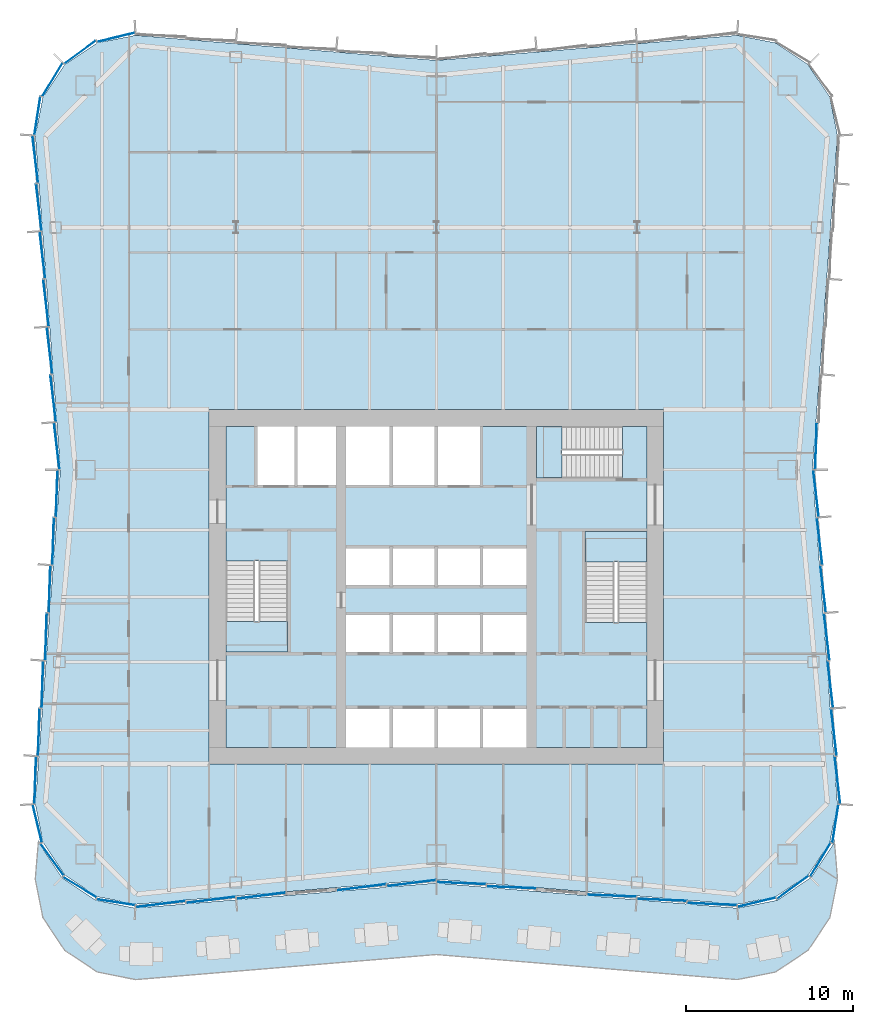
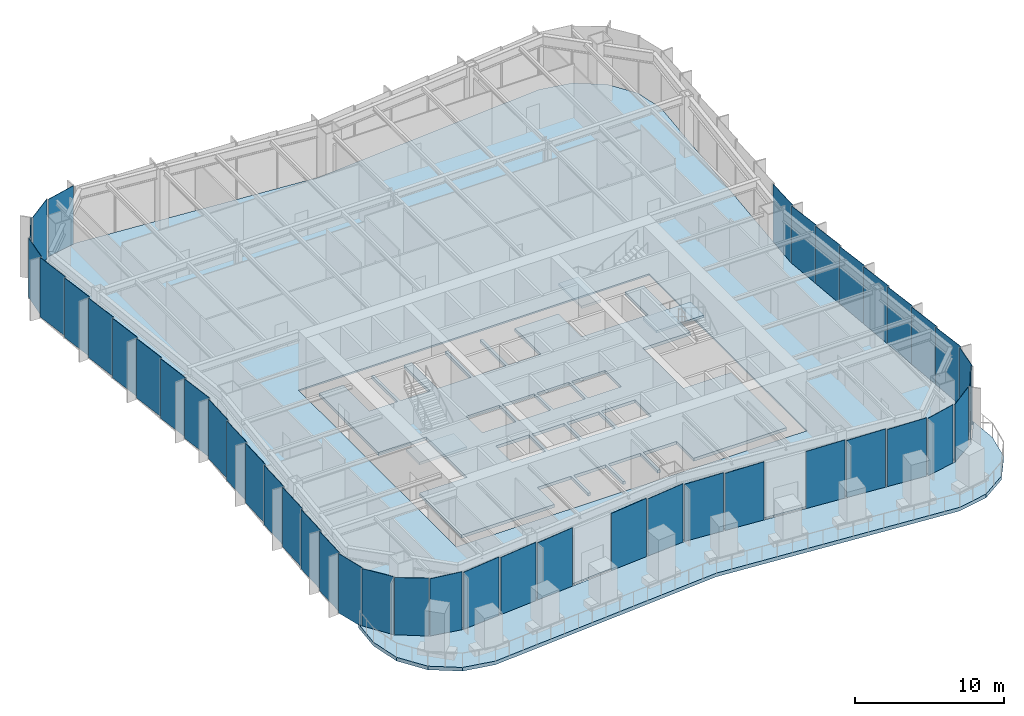
# One storey, part 7 of 15: 44 plates, 6 slabs, 9 elements without a shape of their own.
"""IFC4 building model written with IfcOpenShell, lengths in metres."""

from ifc_helpers import new_model, si_unit, direction, frame, origin, origin_2d, place, context, subcontext, project, spatial, polyline, rectangle, outline, extrude, material, layer, layer_set, type_object, element, aggregate, save


model = new_model("IFC4")

# Units and contexts
model_context = context("Model", 3, precision=1e-05, world=origin(), true_north=direction((0.0, 1.0)))
body_context = subcontext(model_context, "Body", "Model", "MODEL_VIEW")
ifc_project = project(units=[si_unit("LENGTHUNIT", "METRE"), si_unit("AREAUNIT", "SQUARE_METRE"), si_unit("VOLUMEUNIT", "CUBIC_METRE"), si_unit("PLANEANGLEUNIT", "RADIAN"), si_unit("MASSUNIT", "GRAM", prefix="KILO")], contexts=[model_context])

# Site, building, storey
site_placement = place(None, origin())
site = spatial("IfcSite", under=ifc_project, at=site_placement, CompositionType="ELEMENT")
building_placement = place(site_placement, origin())
building = spatial("IfcBuilding", under=site, at=building_placement, Name="Verdant Reach Tower", CompositionType="ELEMENT")
storey_placement = place(building_placement, frame((0.0, 0.0, 121.0)))
storey = spatial("IfcBuildingStorey", under=building, at=storey_placement, Name="L27", CompositionType="ELEMENT", Elevation=121.0)

# Stair, slab
ifc_material_1 = material(Name="Concrete C40/50", Category="concrete")
stair_type = type_object("IfcStairType", Name="CO-STAIR", PredefinedType="HALF_TURN_STAIR", material=ifc_material_1)
stair_1_placement = place(storey_placement, origin())
stair_1 = element("IfcStair", 1, at=stair_1_placement, inside=storey, type_object=stair_type, Name="L27 Exit stair 1", PredefinedType="HALF_TURN_STAIR")
ifc_layer_1 = layer(ifc_material_1, 0.199951171875)
ifc_layer_set_1 = layer_set([ifc_layer_1], Name="CO-STAIR-LANDING")
slab_type_1 = type_object("IfcSlabType", Name="CO-STAIR-LANDING", PredefinedType="LANDING", material=ifc_layer_set_1)
slab_1_placement = place(storey_placement, frame((0.0, 0.0, 2.300048828125)))
slab_1 = element("IfcSlab", 2, at=slab_1_placement, type_object=slab_type_1, Name="ST-1 landing 1", PredefinedType="LANDING", context=body_context, shape_type="SweptSolid", body=[
    extrude(outline(polyline([(-12.60009765625, 25.909912109375), (-12.60009765625, 24.10009765625), (-8.89990234375, 24.10009765625), (-8.89990234375, 25.909912109375), (-12.60009765625, 25.909912109375)])), origin(), (0.0, 0.0, 1.0), 0.199951171875),
])
aggregate(stair_1, [slab_1])

stair_2_placement = place(storey_placement, origin())
stair_2 = element("IfcStair", 3, at=stair_2_placement, inside=storey, type_object=stair_type, Name="L27 Exit stair 2", PredefinedType="HALF_TURN_STAIR")
slab_2_placement = place(storey_placement, frame((0.0, 0.0, 2.300048828125)))
slab_2 = element("IfcSlab", 4, at=slab_2_placement, type_object=slab_type_1, Name="ST-2 landing 1", PredefinedType="LANDING", context=body_context, shape_type="SweptSolid", body=[
    extrude(outline(polyline([(12.60009765625, 29.489990234375), (12.60009765625, 31.300048828125), (8.89990234375, 31.300048828125), (8.89990234375, 29.489990234375), (12.60009765625, 29.489990234375)])), origin(), (0.0, 0.0, 1.0), 0.199951171875),
])
aggregate(stair_2, [slab_2])

stair_3_placement = place(storey_placement, origin())
stair_3 = element("IfcStair", 5, at=stair_3_placement, inside=storey, type_object=stair_type, Name="L27 Exit stair 3", PredefinedType="HALF_TURN_STAIR")
slab_3_placement = place(storey_placement, frame((0.0, 0.0, 2.300048828125)))
slab_3 = element("IfcSlab", 6, at=slab_3_placement, type_object=slab_type_1, Name="ST-3 landing 1", PredefinedType="LANDING", context=body_context, shape_type="SweptSolid", body=[
    extrude(outline(polyline([(7.510009765625, 37.60009765625), (6.0, 37.60009765625), (6.0, 34.5), (7.510009765625, 34.5), (7.510009765625, 37.60009765625)])), origin(), (0.0, 0.0, 1.0), 0.199951171875),
])
aggregate(stair_3, [slab_3])

# Curtain wall, plates
ifc_material_2 = material(Name="Anodised aluminium", Category="aluminium")
curtain_wall_type = type_object("IfcCurtainWallType", Name="EN-CW SYSTEM Z2", PredefinedType="NOTDEFINED", material=ifc_material_2)
curtain_wall_1_placement = place(storey_placement, origin())
curtain_wall_1 = element("IfcCurtainWall", 7, at=curtain_wall_1_placement, inside=storey, type_object=curtain_wall_type, Name="Curtain wall east, L27", PredefinedType="NOTDEFINED")
ifc_material_3 = material(Name="Tinted glass with champagne spandrel", Category="glass")
ifc_layer_2 = layer(ifc_material_3, 0.031982421875)
ifc_layer_set_2 = layer_set([ifc_layer_2], Name="EN-PANEL CHAMPAGNE")
plate_type_1 = type_object("IfcPlateType", Name="EN-PANEL CHAMPAGNE", PredefinedType="CURTAIN_PANEL", material=ifc_layer_set_2)
plate_1_placement = place(storey_placement, frame((23.570068359375, 22.15087890625, -0.22607421875), z_axis=(0.0, 0.0, 1.0), x_axis=(-0.116482717753, 0.993192718693, 0.0)))
plate_1 = element("IfcPlate", 8, at=plate_1_placement, type_object=plate_type_1, Name="Glass panel east face part 1 3.1, L27", PredefinedType="CURTAIN_PANEL", context=body_context, shape_type="SweptSolid", body=[
    extrude(rectangle(XDim=2.80517578125, YDim=0.031982421875, at=origin_2d()), origin(), (0.0, 0.0, 1.0), 4.8759765625),
])
plate_2_placement = place(storey_placement, frame((23.355712890625, 25.0078125, -0.22607421875), z_axis=(0.0, 0.0, 1.0), x_axis=(-0.116482717753, 0.993192718693, 0.0)))
plate_2 = element("IfcPlate", 9, at=plate_2_placement, type_object=plate_type_1, Name="Glass panel east face part 1 4.1, L27", PredefinedType="CURTAIN_PANEL", context=body_context, shape_type="SweptSolid", body=[
    extrude(rectangle(XDim=2.80517578125, YDim=0.031982421875, at=origin_2d()), origin(), (0.0, 0.0, 1.0), 4.8759765625),
])

curtain_wall_2_placement = place(storey_placement, origin())
curtain_wall_2 = element("IfcCurtainWall", 10, at=curtain_wall_2_placement, inside=storey, type_object=curtain_wall_type, Name="Curtain wall north-west corner, L27", PredefinedType="NOTDEFINED")
plate_3_placement = place(storey_placement, frame((-19.17138671875, 60.87353515625, -0.22607421875), z_axis=(0.0, 0.0, 1.0), x_axis=(-0.971657900775, -0.236391463174, 0.0)))
plate_3 = element("IfcPlate", 11, at=plate_3_placement, type_object=plate_type_1, Name="Glass panel north-west corner 1.1, L27", PredefinedType="CURTAIN_PANEL", context=body_context, shape_type="SweptSolid", body=[
    extrude(rectangle(XDim=2.31640625, YDim=0.031982421875, at=origin_2d()), origin(), (0.0, 0.0, 1.0), 4.8759765625),
])
plate_4_placement = place(storey_placement, frame((-21.3271484375, 59.9794921875, -0.22607421875), z_axis=(0.0, 0.0, 1.0), x_axis=(-0.807456760688, -0.589926757843, 0.0)))
plate_4 = element("IfcPlate", 12, at=plate_4_placement, type_object=plate_type_1, Name="Glass panel north-west corner 2.1, L27", PredefinedType="CURTAIN_PANEL", context=body_context, shape_type="SweptSolid", body=[
    extrude(rectangle(XDim=2.322509765625, YDim=0.031982421875, at=origin_2d()), origin(), (0.0, 0.0, 1.0), 4.8759765625),
])
plate_5_placement = place(storey_placement, frame((-22.9794921875, 58.3271484375, -0.22607421875), z_axis=(0.0, 0.0, 1.0), x_axis=(-0.520291561353, -0.853988694998, 0.0)))
plate_5 = element("IfcPlate", 13, at=plate_5_placement, type_object=plate_type_1, Name="Glass panel north-west corner 3.1, L27", PredefinedType="CURTAIN_PANEL", context=body_context, shape_type="SweptSolid", body=[
    extrude(rectangle(XDim=2.322509765625, YDim=0.031982421875, at=origin_2d()), origin(), (0.0, 0.0, 1.0), 4.8759765625),
])

curtain_wall_3_placement = place(storey_placement, origin())
curtain_wall_3 = element("IfcCurtainWall", 14, at=curtain_wall_3_placement, inside=storey, type_object=curtain_wall_type, Name="Curtain wall west, L27", PredefinedType="NOTDEFINED")
plate_6_placement = place(storey_placement, frame((-23.99853515625, 53.57080078125, -0.22607421875), z_axis=(0.0, 0.0, 1.0), x_axis=(0.116147092358, -0.993232023717, 0.0)))
plate_6 = element("IfcPlate", 15, at=plate_6_placement, type_object=plate_type_1, Name="Glass panel west face part 1 1.1, L27", PredefinedType="CURTAIN_PANEL", context=body_context, shape_type="SweptSolid", body=[
    extrude(rectangle(XDim=2.819580078125, YDim=0.031982421875, at=origin_2d()), origin(), (0.0, 0.0, 1.0), 4.8759765625),
])
plate_7_placement = place(storey_placement, frame((-22.712890625, 36.424560546875, -0.22607421875), z_axis=(0.0, 0.0, 1.0), x_axis=(0.116585911919, -0.993180610535, 0.0)))
plate_7 = element("IfcPlate", 16, at=plate_7_placement, type_object=plate_type_1, Name="Glass panel west face part 1 7.1, L27", PredefinedType="CURTAIN_PANEL", context=body_context, shape_type="SweptSolid", body=[
    extrude(rectangle(XDim=2.797119140625, YDim=0.031982421875, at=origin_2d()), origin(), (0.0, 0.0, 1.0), 4.8759765625),
])
plate_8_placement = place(storey_placement, frame((-22.712890625, 33.575439453125, -0.22607421875), z_axis=(0.0, 0.0, 1.0), x_axis=(-0.033069817188, -0.999453044015, 0.0)))
plate_8 = element("IfcPlate", 17, at=plate_8_placement, type_object=plate_type_1, Name="Glass panel west face part 2 1.1, L27", PredefinedType="CURTAIN_PANEL", context=body_context, shape_type="SweptSolid", body=[
    extrude(rectangle(XDim=2.797119140625, YDim=0.031982421875, at=origin_2d()), origin(), (0.0, 0.0, 1.0), 4.8759765625),
])
plate_9_placement = place(storey_placement, frame((-22.92724609375, 30.72216796875, -0.22607421875), z_axis=(0.0, 0.0, 1.0), x_axis=(-0.032965971753, -0.999456474643, 0.0)))
plate_9 = element("IfcPlate", 18, at=plate_9_placement, type_object=plate_type_1, Name="Glass panel west face part 2 2.1, L27", PredefinedType="CURTAIN_PANEL", context=body_context, shape_type="SweptSolid", body=[
    extrude(rectangle(XDim=2.80517578125, YDim=0.031982421875, at=origin_2d()), origin(), (0.0, 0.0, 1.0), 4.8759765625),
])

# Curtain wall, plate
curtain_wall_4_placement = place(storey_placement, origin())
curtain_wall_4 = element("IfcCurtainWall", 19, at=curtain_wall_4_placement, inside=storey, type_object=curtain_wall_type, Name="Curtain wall south-west corner, L27", PredefinedType="NOTDEFINED")
plate_10_placement = place(storey_placement, frame((-23.87353515625, 13.828369140625, -0.22607421875), z_axis=(0.0, 0.0, 1.0), x_axis=(0.236416170006, -0.971651889598, 0.0)))
plate_10 = element("IfcPlate", 20, at=plate_10_placement, type_object=plate_type_1, Name="Glass panel south-west corner 1.1, L27", PredefinedType="CURTAIN_PANEL", context=body_context, shape_type="SweptSolid", body=[
    extrude(rectangle(XDim=2.316162109375, YDim=0.031982421875, at=origin_2d()), origin(), (0.0, 0.0, 1.0), 4.8759765625),
])

# Curtain wall, plates
curtain_wall_5_placement = place(storey_placement, origin())
curtain_wall_5 = element("IfcCurtainWall", 21, at=curtain_wall_5_placement, inside=storey, type_object=curtain_wall_type, Name="Curtain wall south, L27", PredefinedType="NOTDEFINED")
plate_11_placement = place(storey_placement, frame((-4.4912109375, 10.019287109375, -0.22607421875), z_axis=(0.0, 0.0, 1.0), x_axis=(0.992194034542, 0.124703639961, 0.0)))
plate_11 = element("IfcPlate", 22, at=plate_11_placement, type_object=plate_type_1, Name="Glass panel south face part 1 5.1, L27", PredefinedType="CURTAIN_PANEL", context=body_context, shape_type="SweptSolid", body=[
    extrude(rectangle(XDim=2.950439453125, YDim=0.031982421875, at=origin_2d()), origin(), (0.0, 0.0, 1.0), 4.8759765625),
])
plate_12_placement = place(storey_placement, frame((-1.49560546875, 10.269287109375, -0.22607421875), z_axis=(0.0, 0.0, 1.0), x_axis=(0.992178815188, 0.12482467181, 0.0)))
plate_12 = element("IfcPlate", 23, at=plate_12_placement, type_object=plate_type_1, Name="Glass panel south face part 1 6.1, L27", PredefinedType="CURTAIN_PANEL", context=body_context, shape_type="SweptSolid", body=[
    extrude(rectangle(XDim=2.941650390625, YDim=0.031982421875, at=origin_2d()), origin(), (0.0, 0.0, 1.0), 4.8759765625),
])
plate_13_placement = place(storey_placement, frame((16.49853515625, 9.019287109375, -0.22607421875), z_axis=(0.0, 0.0, 1.0), x_axis=(0.999163230224, -0.040900359019, 0.0)))
plate_13 = element("IfcPlate", 24, at=plate_13_placement, type_object=plate_type_1, Name="Glass panel south face part 2 6.1, L27", PredefinedType="CURTAIN_PANEL", context=body_context, shape_type="SweptSolid", body=[
    extrude(rectangle(XDim=2.965087890625, YDim=0.031982421875, at=origin_2d()), origin(), (0.0, 0.0, 1.0), 4.8759765625),
])

# Curtain wall, plate
curtain_wall_6_placement = place(storey_placement, origin())
curtain_wall_6 = element("IfcCurtainWall", 25, at=curtain_wall_6_placement, inside=storey, type_object=curtain_wall_type, Name="Curtain wall south-east corner, L27", PredefinedType="NOTDEFINED")
ifc_material_4 = material(Name="Tinted glass with copper spandrel", Category="glass")
ifc_layer_3 = layer(ifc_material_4, 0.031982421875)
ifc_layer_set_3 = layer_set([ifc_layer_3], Name="EN-PANEL COPPER")
plate_type_2 = type_object("IfcPlateType", Name="EN-PANEL COPPER", PredefinedType="CURTAIN_PANEL", material=ifc_layer_set_3)
plate_14_placement = place(storey_placement, frame((19.17138671875, 9.12646484375, -0.22607421875), z_axis=(0.0, 0.0, 1.0), x_axis=(0.971657900775, 0.236391463174, 0.0)))
plate_14 = element("IfcPlate", 26, at=plate_14_placement, type_object=plate_type_2, Name="Glass panel south-east corner 1.1, L27", PredefinedType="CURTAIN_PANEL", context=body_context, shape_type="SweptSolid", body=[
    extrude(rectangle(XDim=2.31640625, YDim=0.031982421875, at=origin_2d()), origin(), (0.0, 0.0, 1.0), 4.8759765625),
])

# Plate
plate_15_placement = place(storey_placement, frame((23.141357421875, 27.864990234375, -0.22607421875), z_axis=(0.0, 0.0, 1.0), x_axis=(-0.116482717753, 0.993192718693, 0.0)))
plate_15 = element("IfcPlate", 27, at=plate_15_placement, type_object=plate_type_2, Name="Glass panel east face part 1 5.1, L27", PredefinedType="CURTAIN_PANEL", context=body_context, shape_type="SweptSolid", body=[
    extrude(rectangle(XDim=2.80517578125, YDim=0.031982421875, at=origin_2d()), origin(), (0.0, 0.0, 1.0), 4.8759765625),
])

plate_16_placement = place(storey_placement, frame((22.92724609375, 30.72216796875, -0.22607421875), z_axis=(0.0, 0.0, 1.0), x_axis=(-0.116482717753, 0.993192718693, 0.0)))
plate_16 = element("IfcPlate", 28, at=plate_16_placement, type_object=plate_type_2, Name="Glass panel east face part 1 6.1, L27", PredefinedType="CURTAIN_PANEL", context=body_context, shape_type="SweptSolid", body=[
    extrude(rectangle(XDim=2.80517578125, YDim=0.031982421875, at=origin_2d()), origin(), (0.0, 0.0, 1.0), 4.8759765625),
])

plate_17_placement = place(storey_placement, frame((22.712890625, 33.575439453125, -0.22607421875), z_axis=(0.0, 0.0, 1.0), x_axis=(-0.116585911919, 0.993180610535, 0.0)))
plate_17 = element("IfcPlate", 29, at=plate_17_placement, type_object=plate_type_2, Name="Glass panel east face part 1 7.1, L27", PredefinedType="CURTAIN_PANEL", context=body_context, shape_type="SweptSolid", body=[
    extrude(rectangle(XDim=2.797119140625, YDim=0.031982421875, at=origin_2d()), origin(), (0.0, 0.0, 1.0), 4.8759765625),
])

plate_18_placement = place(storey_placement, frame((22.712890625, 36.424560546875, -0.22607421875), z_axis=(0.0, 0.0, 1.0), x_axis=(0.033069817188, 0.999453044015, 0.0)))
plate_18 = element("IfcPlate", 30, at=plate_18_placement, type_object=plate_type_2, Name="Glass panel east face part 2 1.1, L27", PredefinedType="CURTAIN_PANEL", context=body_context, shape_type="SweptSolid", body=[
    extrude(rectangle(XDim=2.797119140625, YDim=0.031982421875, at=origin_2d()), origin(), (0.0, 0.0, 1.0), 4.8759765625),
])

plate_19_placement = place(storey_placement, frame((-23.87353515625, 56.171630859375, -0.22607421875), z_axis=(0.0, 0.0, 1.0), x_axis=(-0.154281290631, -0.988026964896, 0.0)))
plate_19 = element("IfcPlate", 31, at=plate_19_placement, type_object=plate_type_2, Name="Glass panel north-west corner 4.1, L27", PredefinedType="CURTAIN_PANEL", context=body_context, shape_type="SweptSolid", body=[
    extrude(rectangle(XDim=2.316162109375, YDim=0.031982421875, at=origin_2d()), origin(), (0.0, 0.0, 1.0), 4.8759765625),
])

aggregate(curtain_wall_2, [plate_3, plate_4, plate_5, plate_19])

plate_20_placement = place(storey_placement, frame((-23.7841796875, 50.706298828125, -0.22607421875), z_axis=(0.0, 0.0, 1.0), x_axis=(0.116482717753, -0.993192718693, 0.0)))
plate_20 = element("IfcPlate", 32, at=plate_20_placement, type_object=plate_type_2, Name="Glass panel west face part 1 2.1, L27", PredefinedType="CURTAIN_PANEL", context=body_context, shape_type="SweptSolid", body=[
    extrude(rectangle(XDim=2.80517578125, YDim=0.031982421875, at=origin_2d()), origin(), (0.0, 0.0, 1.0), 4.8759765625),
])

plate_21_placement = place(storey_placement, frame((-23.570068359375, 47.84912109375, -0.22607421875), z_axis=(0.0, 0.0, 1.0), x_axis=(0.116482717753, -0.993192718693, 0.0)))
plate_21 = element("IfcPlate", 33, at=plate_21_placement, type_object=plate_type_2, Name="Glass panel west face part 1 3.1, L27", PredefinedType="CURTAIN_PANEL", context=body_context, shape_type="SweptSolid", body=[
    extrude(rectangle(XDim=2.80517578125, YDim=0.031982421875, at=origin_2d()), origin(), (0.0, 0.0, 1.0), 4.8759765625),
])

plate_22_placement = place(storey_placement, frame((-23.141357421875, 27.864990234375, -0.22607421875), z_axis=(0.0, 0.0, 1.0), x_axis=(-0.032965971753, -0.999456474643, 0.0)))
plate_22 = element("IfcPlate", 34, at=plate_22_placement, type_object=plate_type_2, Name="Glass panel west face part 2 3.1, L27", PredefinedType="CURTAIN_PANEL", context=body_context, shape_type="SweptSolid", body=[
    extrude(rectangle(XDim=2.80517578125, YDim=0.031982421875, at=origin_2d()), origin(), (0.0, 0.0, 1.0), 4.8759765625),
])

plate_23_placement = place(storey_placement, frame((-23.355712890625, 25.0078125, -0.22607421875), z_axis=(0.0, 0.0, 1.0), x_axis=(-0.032965971753, -0.999456474643, 0.0)))
plate_23 = element("IfcPlate", 35, at=plate_23_placement, type_object=plate_type_2, Name="Glass panel west face part 2 4.1, L27", PredefinedType="CURTAIN_PANEL", context=body_context, shape_type="SweptSolid", body=[
    extrude(rectangle(XDim=2.80517578125, YDim=0.031982421875, at=origin_2d()), origin(), (0.0, 0.0, 1.0), 4.8759765625),
])

plate_24_placement = place(storey_placement, frame((-23.570068359375, 22.15087890625, -0.22607421875), z_axis=(0.0, 0.0, 1.0), x_axis=(-0.032965971753, -0.999456474643, 0.0)))
plate_24 = element("IfcPlate", 36, at=plate_24_placement, type_object=plate_type_2, Name="Glass panel west face part 2 5.1, L27", PredefinedType="CURTAIN_PANEL", context=body_context, shape_type="SweptSolid", body=[
    extrude(rectangle(XDim=2.80517578125, YDim=0.031982421875, at=origin_2d()), origin(), (0.0, 0.0, 1.0), 4.8759765625),
])

plate_25_placement = place(storey_placement, frame((-22.9794921875, 11.6728515625, -0.22607421875), z_axis=(0.0, 0.0, 1.0), x_axis=(0.589926757843, -0.807456760688, 0.0)))
plate_25 = element("IfcPlate", 37, at=plate_25_placement, type_object=plate_type_2, Name="Glass panel south-west corner 2.1, L27", PredefinedType="CURTAIN_PANEL", context=body_context, shape_type="SweptSolid", body=[
    extrude(rectangle(XDim=2.322509765625, YDim=0.031982421875, at=origin_2d()), origin(), (0.0, 0.0, 1.0), 4.8759765625),
])

plate_26_placement = place(storey_placement, frame((-21.3271484375, 10.0205078125, -0.22607421875), z_axis=(0.0, 0.0, 1.0), x_axis=(0.853988694998, -0.520291561353, 0.0)))
plate_26 = element("IfcPlate", 38, at=plate_26_placement, type_object=plate_type_2, Name="Glass panel south-west corner 3.1, L27", PredefinedType="CURTAIN_PANEL", context=body_context, shape_type="SweptSolid", body=[
    extrude(rectangle(XDim=2.322509765625, YDim=0.031982421875, at=origin_2d()), origin(), (0.0, 0.0, 1.0), 4.8759765625),
])

plate_27_placement = place(storey_placement, frame((-16.49853515625, 9.019287109375, -0.22607421875), z_axis=(0.0, 0.0, 1.0), x_axis=(0.992236570309, 0.124364739946, 0.0)))
plate_27 = element("IfcPlate", 39, at=plate_27_placement, type_object=plate_type_2, Name="Glass panel south face part 1 1.1, L27", PredefinedType="CURTAIN_PANEL", context=body_context, shape_type="SweptSolid", body=[
    extrude(rectangle(XDim=2.965087890625, YDim=0.031982421875, at=origin_2d()), origin(), (0.0, 0.0, 1.0), 4.8759765625),
])

plate_28_placement = place(storey_placement, frame((1.49560546875, 10.269287109375, -0.22607421875), z_axis=(0.0, 0.0, 1.0), x_axis=(0.999144163765, -0.041363510662, 0.0)))
plate_28 = element("IfcPlate", 40, at=plate_28_placement, type_object=plate_type_2, Name="Glass panel south face part 2 1.1, L27", PredefinedType="CURTAIN_PANEL", context=body_context, shape_type="SweptSolid", body=[
    extrude(rectangle(XDim=2.941650390625, YDim=0.031982421875, at=origin_2d()), origin(), (0.0, 0.0, 1.0), 4.8759765625),
])

plate_29_placement = place(storey_placement, frame((4.4912109375, 10.019287109375, -0.22607421875), z_axis=(0.0, 0.0, 1.0), x_axis=(0.999149202059, -0.041241629766, 0.0)))
plate_29 = element("IfcPlate", 41, at=plate_29_placement, type_object=plate_type_2, Name="Glass panel south face part 2 2.1, L27", PredefinedType="CURTAIN_PANEL", context=body_context, shape_type="SweptSolid", body=[
    extrude(rectangle(XDim=2.950439453125, YDim=0.031982421875, at=origin_2d()), origin(), (0.0, 0.0, 1.0), 4.8759765625),
])

ifc_material_5 = material(Name="Tinted glass with dark bronze spandrel", Category="glass")
ifc_layer_4 = layer(ifc_material_5, 0.031982421875)
ifc_layer_set_4 = layer_set([ifc_layer_4], Name="EN-PANEL DARK")
plate_type_3 = type_object("IfcPlateType", Name="EN-PANEL DARK", PredefinedType="CURTAIN_PANEL", material=ifc_layer_set_4)
plate_30_placement = place(storey_placement, frame((21.3271484375, 10.0205078125, -0.22607421875), z_axis=(0.0, 0.0, 1.0), x_axis=(0.807456760688, 0.589926757843, 0.0)))
plate_30 = element("IfcPlate", 42, at=plate_30_placement, type_object=plate_type_3, Name="Glass panel south-east corner 2.1, L27", PredefinedType="CURTAIN_PANEL", context=body_context, shape_type="SweptSolid", body=[
    extrude(rectangle(XDim=2.322509765625, YDim=0.031982421875, at=origin_2d()), origin(), (0.0, 0.0, 1.0), 4.8759765625),
])

plate_31_placement = place(storey_placement, frame((22.9794921875, 11.6728515625, -0.22607421875), z_axis=(0.0, 0.0, 1.0), x_axis=(0.520291561353, 0.853988694998, 0.0)))
plate_31 = element("IfcPlate", 43, at=plate_31_placement, type_object=plate_type_3, Name="Glass panel south-east corner 3.1, L27", PredefinedType="CURTAIN_PANEL", context=body_context, shape_type="SweptSolid", body=[
    extrude(rectangle(XDim=2.322509765625, YDim=0.031982421875, at=origin_2d()), origin(), (0.0, 0.0, 1.0), 4.8759765625),
])

plate_32_placement = place(storey_placement, frame((23.87353515625, 13.828369140625, -0.22607421875), z_axis=(0.0, 0.0, 1.0), x_axis=(0.154281290631, 0.988026964896, 0.0)))
plate_32 = element("IfcPlate", 44, at=plate_32_placement, type_object=plate_type_3, Name="Glass panel south-east corner 4.1, L27", PredefinedType="CURTAIN_PANEL", context=body_context, shape_type="SweptSolid", body=[
    extrude(rectangle(XDim=2.316162109375, YDim=0.031982421875, at=origin_2d()), origin(), (0.0, 0.0, 1.0), 4.8759765625),
])

aggregate(curtain_wall_6, [plate_14, plate_30, plate_31, plate_32])

plate_33_placement = place(storey_placement, frame((23.99853515625, 16.42919921875, -0.22607421875), z_axis=(0.0, 0.0, 1.0), x_axis=(-0.116147092358, 0.993232023717, 0.0)))
plate_33 = element("IfcPlate", 45, at=plate_33_placement, type_object=plate_type_3, Name="Glass panel east face part 1 1.1, L27", PredefinedType="CURTAIN_PANEL", context=body_context, shape_type="SweptSolid", body=[
    extrude(rectangle(XDim=2.819580078125, YDim=0.031982421875, at=origin_2d()), origin(), (0.0, 0.0, 1.0), 4.8759765625),
])

plate_34_placement = place(storey_placement, frame((23.7841796875, 19.293701171875, -0.22607421875), z_axis=(0.0, 0.0, 1.0), x_axis=(-0.116482717753, 0.993192718693, 0.0)))
plate_34 = element("IfcPlate", 46, at=plate_34_placement, type_object=plate_type_3, Name="Glass panel east face part 1 2.1, L27", PredefinedType="CURTAIN_PANEL", context=body_context, shape_type="SweptSolid", body=[
    extrude(rectangle(XDim=2.80517578125, YDim=0.031982421875, at=origin_2d()), origin(), (0.0, 0.0, 1.0), 4.8759765625),
])

aggregate(curtain_wall_1, [plate_33, plate_34, plate_1, plate_2, plate_15, plate_16, plate_17, plate_18])

plate_35_placement = place(storey_placement, frame((-23.355712890625, 44.9921875, -0.22607421875), z_axis=(0.0, 0.0, 1.0), x_axis=(0.116482717753, -0.993192718693, 0.0)))
plate_35 = element("IfcPlate", 47, at=plate_35_placement, type_object=plate_type_3, Name="Glass panel west face part 1 4.1, L27", PredefinedType="CURTAIN_PANEL", context=body_context, shape_type="SweptSolid", body=[
    extrude(rectangle(XDim=2.80517578125, YDim=0.031982421875, at=origin_2d()), origin(), (0.0, 0.0, 1.0), 4.8759765625),
])

plate_36_placement = place(storey_placement, frame((-23.141357421875, 42.135009765625, -0.22607421875), z_axis=(0.0, 0.0, 1.0), x_axis=(0.116482717753, -0.993192718693, 0.0)))
plate_36 = element("IfcPlate", 48, at=plate_36_placement, type_object=plate_type_3, Name="Glass panel west face part 1 5.1, L27", PredefinedType="CURTAIN_PANEL", context=body_context, shape_type="SweptSolid", body=[
    extrude(rectangle(XDim=2.80517578125, YDim=0.031982421875, at=origin_2d()), origin(), (0.0, 0.0, 1.0), 4.8759765625),
])

plate_37_placement = place(storey_placement, frame((-22.92724609375, 39.27783203125, -0.22607421875), z_axis=(0.0, 0.0, 1.0), x_axis=(0.116482717753, -0.993192718693, 0.0)))
plate_37 = element("IfcPlate", 49, at=plate_37_placement, type_object=plate_type_3, Name="Glass panel west face part 1 6.1, L27", PredefinedType="CURTAIN_PANEL", context=body_context, shape_type="SweptSolid", body=[
    extrude(rectangle(XDim=2.80517578125, YDim=0.031982421875, at=origin_2d()), origin(), (0.0, 0.0, 1.0), 4.8759765625),
])

plate_38_placement = place(storey_placement, frame((-23.7841796875, 19.293701171875, -0.22607421875), z_axis=(0.0, 0.0, 1.0), x_axis=(-0.032965971753, -0.999456474643, 0.0)))
plate_38 = element("IfcPlate", 50, at=plate_38_placement, type_object=plate_type_3, Name="Glass panel west face part 2 6.1, L27", PredefinedType="CURTAIN_PANEL", context=body_context, shape_type="SweptSolid", body=[
    extrude(rectangle(XDim=2.80517578125, YDim=0.031982421875, at=origin_2d()), origin(), (0.0, 0.0, 1.0), 4.8759765625),
])

plate_39_placement = place(storey_placement, frame((-23.99853515625, 16.42919921875, -0.22607421875), z_axis=(0.0, 0.0, 1.0), x_axis=(-0.032628234484, -0.99946755741, 0.0)))
plate_39 = element("IfcPlate", 51, at=plate_39_placement, type_object=plate_type_3, Name="Glass panel west face part 2 7.1, L27", PredefinedType="CURTAIN_PANEL", context=body_context, shape_type="SweptSolid", body=[
    extrude(rectangle(XDim=2.819580078125, YDim=0.031982421875, at=origin_2d()), origin(), (0.0, 0.0, 1.0), 4.8759765625),
])

aggregate(curtain_wall_3, [plate_6, plate_20, plate_21, plate_35, plate_36, plate_37, plate_7, plate_8, plate_9, plate_22, plate_23, plate_24, plate_38, plate_39])

plate_40_placement = place(storey_placement, frame((-19.17138671875, 9.12646484375, -0.22607421875), z_axis=(0.0, 0.0, 1.0), x_axis=(0.988030887576, -0.154256167447, 0.0)))
plate_40 = element("IfcPlate", 52, at=plate_40_placement, type_object=plate_type_3, Name="Glass panel south-west corner 4.1, L27", PredefinedType="CURTAIN_PANEL", context=body_context, shape_type="SweptSolid", body=[
    extrude(rectangle(XDim=2.31640625, YDim=0.031982421875, at=origin_2d()), origin(), (0.0, 0.0, 1.0), 4.8759765625),
])

aggregate(curtain_wall_4, [plate_10, plate_25, plate_26, plate_40])

plate_41_placement = place(storey_placement, frame((-13.4912109375, 9.269287109375, -0.22607421875), z_axis=(0.0, 0.0, 1.0), x_axis=(0.992194034542, 0.124703639961, 0.0)))
plate_41 = element("IfcPlate", 53, at=plate_41_placement, type_object=plate_type_3, Name="Glass panel south face part 1 2.1, L27", PredefinedType="CURTAIN_PANEL", context=body_context, shape_type="SweptSolid", body=[
    extrude(rectangle(XDim=2.950439453125, YDim=0.031982421875, at=origin_2d()), origin(), (0.0, 0.0, 1.0), 4.8759765625),
])

plate_42_placement = place(storey_placement, frame((-10.4912109375, 9.519287109375, -0.22607421875), z_axis=(0.0, 0.0, 1.0), x_axis=(0.992194034542, 0.124703639961, 0.0)))
plate_42 = element("IfcPlate", 54, at=plate_42_placement, type_object=plate_type_3, Name="Glass panel south face part 1 3.1, L27", PredefinedType="CURTAIN_PANEL", context=body_context, shape_type="SweptSolid", body=[
    extrude(rectangle(XDim=2.950439453125, YDim=0.031982421875, at=origin_2d()), origin(), (0.0, 0.0, 1.0), 4.8759765625),
])

plate_43_placement = place(storey_placement, frame((10.4912109375, 9.519287109375, -0.22607421875), z_axis=(0.0, 0.0, 1.0), x_axis=(0.999149202059, -0.041241629766, 0.0)))
plate_43 = element("IfcPlate", 55, at=plate_43_placement, type_object=plate_type_3, Name="Glass panel south face part 2 4.1, L27", PredefinedType="CURTAIN_PANEL", context=body_context, shape_type="SweptSolid", body=[
    extrude(rectangle(XDim=2.950439453125, YDim=0.031982421875, at=origin_2d()), origin(), (0.0, 0.0, 1.0), 4.8759765625),
])

plate_44_placement = place(storey_placement, frame((13.4912109375, 9.269287109375, -0.22607421875), z_axis=(0.0, 0.0, 1.0), x_axis=(0.999149202059, -0.041241629766, 0.0)))
plate_44 = element("IfcPlate", 56, at=plate_44_placement, type_object=plate_type_3, Name="Glass panel south face part 2 5.1, L27", PredefinedType="CURTAIN_PANEL", context=body_context, shape_type="SweptSolid", body=[
    extrude(rectangle(XDim=2.950439453125, YDim=0.031982421875, at=origin_2d()), origin(), (0.0, 0.0, 1.0), 4.8759765625),
])

aggregate(curtain_wall_5, [plate_27, plate_41, plate_42, plate_11, plate_12, plate_28, plate_29, plate_43, plate_44, plate_13])

# Slabs
ifc_material_6 = material(Name="Concrete C35/45 with stone paving", Category="masonry")
ifc_layer_5 = layer(ifc_material_6, 0.300048828125)
ifc_layer_set_5 = layer_set([ifc_layer_5], Name="EN-TERRACE PAVING")
slab_type_2 = type_object("IfcSlabType", Name="EN-TERRACE PAVING", PredefinedType="USERDEFINED", material=ifc_layer_set_5)
slab_4_placement = place(storey_placement, frame((0.0, 0.0, -0.300048828125)))
element("IfcSlab", 57, at=slab_4_placement, inside=storey, type_object=slab_type_2, Name="South terrace deck, L27", ObjectType="PAVING", PredefinedType="USERDEFINED", context=body_context, shape_type="SweptSolid", body=[
    extrude(outline(polyline([(24.0, 10.5), (23.543212890625, 8.203857421875), (22.24267578125, 6.25732421875), (20.296142578125, 4.956787109375), (18.0, 4.5), (0.0, 6.0), (-18.0, 4.5), (-20.296142578125, 4.956787109375), (-22.24267578125, 6.25732421875), (-23.543212890625, 8.203857421875), (-24.0, 10.5), (-23.804443359375, 12.87890625), (-23.75244140625, 12.6171875), (-22.402587890625, 10.597412109375), (-20.3828125, 9.24755859375), (-18.0126953125, 8.776123046875), (0.0, 10.27734375), (18.0126953125, 8.776123046875), (20.3828125, 9.24755859375), (22.402587890625, 10.597412109375), (23.75244140625, 12.6171875), (23.804443359375, 12.87890625), (24.0, 10.5)])), origin(), (0.0, 0.0, 1.0), 0.300048828125),
])
ifc_material_7 = material(Name="Concrete C35/45", Category="concrete")
ifc_layer_6 = layer(ifc_material_7, 0.1298828125)
ifc_layer_set_6 = layer_set([ifc_layer_6], Name="ST-SLAB-130")
slab_type_3 = type_object("IfcSlabType", Name="ST-SLAB-130", PredefinedType="FLOOR", material=ifc_layer_set_6)
slab_5_placement = place(storey_placement, frame((0.0, 0.0, -0.1298828125)))
element("IfcSlab", 58, at=slab_5_placement, inside=storey, type_object=slab_type_3, Name="Floor slab L27", PredefinedType="FLOOR", context=body_context, shape_type="SweptSolid", body=[
    extrude(outline(polyline([(0.0, 10.5), (-18.0, 9.0), (-20.296142578125, 9.456787109375), (-22.24267578125, 10.75732421875), (-23.543212890625, 12.703857421875), (-24.0, 15.0), (-22.5, 35.0), (-24.0, 55.0), (-23.543212890625, 57.296142578125), (-22.24267578125, 59.24267578125), (-20.296142578125, 60.543212890625), (-18.0, 61.0), (0.0, 59.5), (18.0, 61.0), (20.296142578125, 60.543212890625), (22.24267578125, 59.24267578125), (23.543212890625, 57.296142578125), (24.0, 55.0), (22.5, 35.0), (24.0, 15.0), (23.543212890625, 12.703857421875), (22.24267578125, 10.75732421875), (20.296142578125, 9.456787109375), (18.0, 9.0), (0.0, 10.5)]), holes=[polyline([(13.60009765625, 38.60009765625), (-13.60009765625, 38.60009765625), (-13.60009765625, 17.39990234375), (13.60009765625, 17.39990234375), (13.60009765625, 38.60009765625)])]), origin(), (0.0, 0.0, 1.0), 0.1298828125),
])
ifc_layer_7 = layer(ifc_material_7, 0.25)
ifc_layer_set_7 = layer_set([ifc_layer_7], Name="ST-SLAB-250")
slab_type_4 = type_object("IfcSlabType", Name="ST-SLAB-250", PredefinedType="FLOOR", material=ifc_layer_set_7)
slab_6_placement = place(storey_placement, frame((0.0, 0.0, -0.25)))
element("IfcSlab", 59, at=slab_6_placement, inside=storey, type_object=slab_type_4, Name="Core floor slab L27", PredefinedType="FLOOR", context=body_context, shape_type="SweptSolid", body=[
    extrude(outline(polyline([(12.60009765625, 18.39990234375), (5.39990234375, 18.39990234375), (5.39990234375, 20.699951171875), (2.800048828125, 20.699951171875), (2.800048828125, 18.39990234375), (2.60009765625, 18.39990234375), (2.60009765625, 20.699951171875), (0.10009765625, 20.699951171875), (0.10009765625, 18.39990234375), (-0.10009765625, 18.39990234375), (-0.10009765625, 20.699951171875), (-2.60009765625, 20.699951171875), (-2.60009765625, 18.39990234375), (-2.800048828125, 18.39990234375), (-2.800048828125, 20.699951171875), (-5.39990234375, 20.699951171875), (-5.39990234375, 18.39990234375), (-12.60009765625, 18.39990234375), (-12.60009765625, 24.10009765625), (-8.89990234375, 24.10009765625), (-8.89990234375, 29.548095703125), (-12.60009765625, 29.548095703125), (-12.60009765625, 37.60009765625), (-10.699951171875, 37.60009765625), (-10.699951171875, 34.10009765625), (-8.5, 34.10009765625), (-8.5, 37.60009765625), (-8.300048828125, 37.60009765625), (-8.300048828125, 34.10009765625), (-6.0, 34.10009765625), (-6.0, 37.60009765625), (-5.39990234375, 37.60009765625), (-5.39990234375, 34.10009765625), (-2.800048828125, 34.10009765625), (-2.800048828125, 37.60009765625), (-2.60009765625, 37.60009765625), (-2.60009765625, 34.10009765625), (-0.10009765625, 34.10009765625), (-0.10009765625, 37.60009765625), (0.10009765625, 37.60009765625), (0.10009765625, 34.10009765625), (2.60009765625, 34.10009765625), (2.60009765625, 37.60009765625), (6.0, 37.60009765625), (6.0, 34.5), (11.14794921875, 34.5), (11.14794921875, 37.60009765625), (12.60009765625, 37.60009765625), (12.60009765625, 31.300048828125), (8.89990234375, 31.300048828125), (8.89990234375, 25.85205078125), (12.60009765625, 25.85205078125), (12.60009765625, 18.39990234375)]), holes=[polyline([(-2.800048828125, 24.10009765625), (-2.800048828125, 26.300048828125), (-5.39990234375, 26.300048828125), (-5.39990234375, 24.10009765625), (-2.800048828125, 24.10009765625)]), polyline([(-2.60009765625, 24.10009765625), (-0.10009765625, 24.10009765625), (-0.10009765625, 26.300048828125), (-2.60009765625, 26.300048828125), (-2.60009765625, 24.10009765625)]), polyline([(-2.800048828125, 28.10009765625), (-2.800048828125, 30.300048828125), (-5.39990234375, 30.300048828125), (-5.39990234375, 28.10009765625), (-2.800048828125, 28.10009765625)]), polyline([(-0.10009765625, 28.10009765625), (-0.10009765625, 30.300048828125), (-2.60009765625, 30.300048828125), (-2.60009765625, 28.10009765625), (-0.10009765625, 28.10009765625)]), polyline([(2.60009765625, 24.10009765625), (2.60009765625, 26.300048828125), (0.10009765625, 26.300048828125), (0.10009765625, 24.10009765625), (2.60009765625, 24.10009765625)]), polyline([(2.800048828125, 24.10009765625), (5.39990234375, 24.10009765625), (5.39990234375, 26.300048828125), (2.800048828125, 26.300048828125), (2.800048828125, 24.10009765625)]), polyline([(2.60009765625, 28.10009765625), (2.60009765625, 30.300048828125), (0.10009765625, 30.300048828125), (0.10009765625, 28.10009765625), (2.60009765625, 28.10009765625)]), polyline([(5.39990234375, 28.10009765625), (5.39990234375, 30.300048828125), (2.800048828125, 30.300048828125), (2.800048828125, 28.10009765625), (5.39990234375, 28.10009765625)])]), origin(), (0.0, 0.0, 1.0), 0.25),
])

save(model, "model.ifc")
